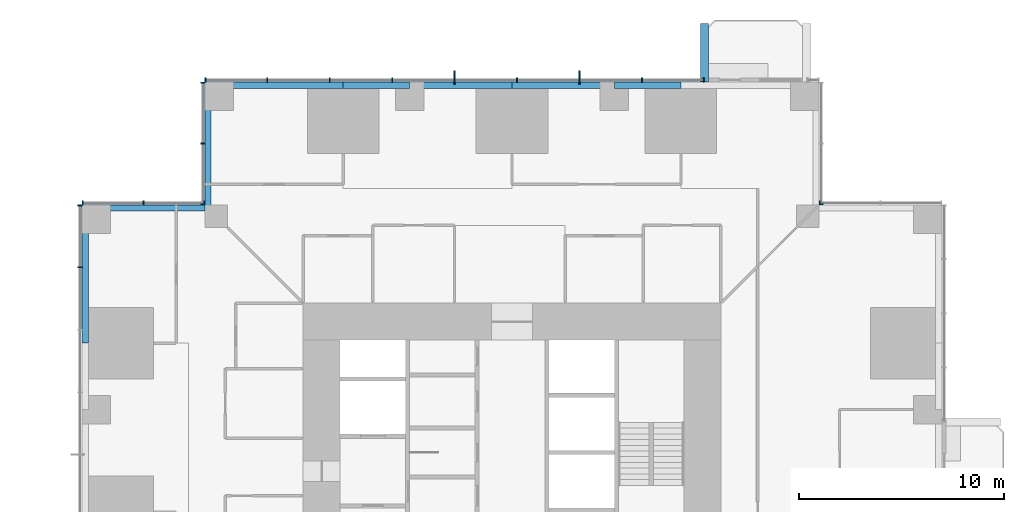
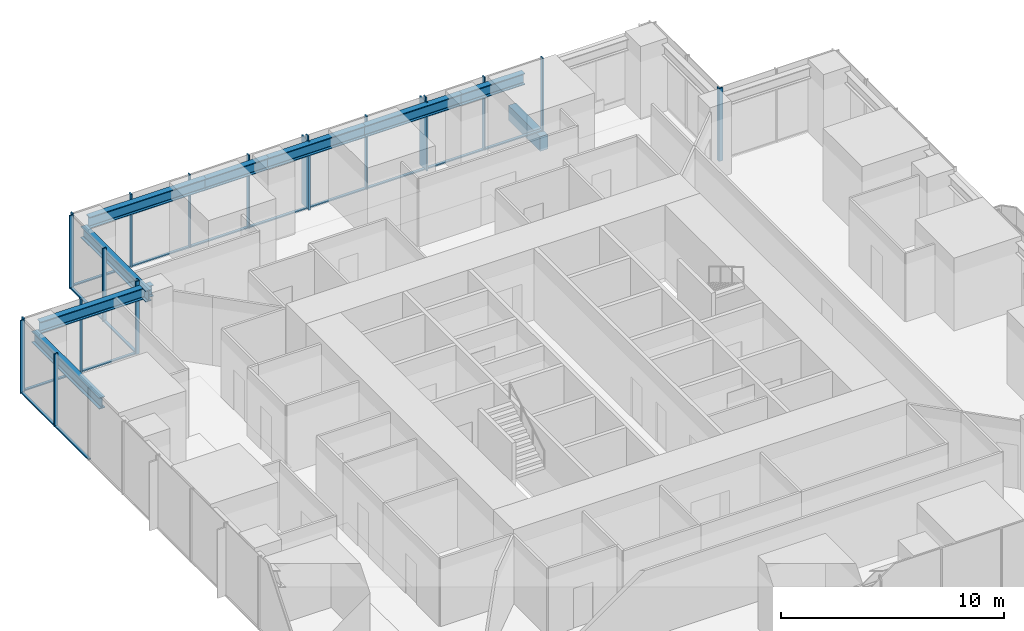
# One storey, part 5 of 17: 35 members, 9 beams, 6 elements without a shape of their own.
"""IFC4 building model written with IfcOpenShell, lengths in metres."""

from ifc_helpers import new_model, si_unit, direction, frame, origin, origin_2d, place, context, subcontext, project, spatial, rectangle, i_section, extrude, material, material_profile, profile_set, type_object, element, aggregate, save


model = new_model("IFC4")

# Units and contexts
model_context = context("Model", 3, precision=1e-05, world=origin(), true_north=direction((0.0, 1.0)))
body_context = subcontext(model_context, "Body", "Model", "MODEL_VIEW")
ifc_project = project(units=[si_unit("LENGTHUNIT", "METRE"), si_unit("AREAUNIT", "SQUARE_METRE"), si_unit("VOLUMEUNIT", "CUBIC_METRE"), si_unit("PLANEANGLEUNIT", "RADIAN"), si_unit("MASSUNIT", "GRAM", prefix="KILO")], contexts=[model_context])

# Site, building, storey
site_placement = place(None, origin())
site = spatial("IfcSite", under=ifc_project, at=site_placement, CompositionType="ELEMENT")
building_placement = place(site_placement, origin())
building = spatial("IfcBuilding", under=site, at=building_placement, Name="Svetlomir Tower", CompositionType="ELEMENT")
storey_placement = place(building_placement, frame((0.0, 0.0, 38.5)))
storey = spatial("IfcBuildingStorey", under=building, at=storey_placement, Name="L08", CompositionType="ELEMENT", Elevation=38.5)

# Beam
ifc_material_1 = material(Name="Concrete C60/75", Category="concrete")
ifc_material_profile_1 = material_profile(ifc_material_1, rectangle(XDim=0.39990234375, YDim=0.800048828125, at=origin_2d()), Name="RC 400x800")
ifc_profile_set_1 = profile_set([ifc_material_profile_1], Name="Concrete C60/75")
beam_type_1 = type_object("IfcBeamType", Name="BALCONY RIB RC 400x800", PredefinedType="BEAM", material=ifc_profile_set_1)
beam_1_placement = place(storey_placement, frame((30.39990234375, 42.0, -0.64990234375), z_axis=(0.0, 1.0, 0.0), x_axis=(-1.0, 0.0, 0.0)))
element("IfcBeam", 1, at=beam_1_placement, inside=storey, type_object=beam_type_1, Name="Balcony rib N 1 L08", PredefinedType="BEAM", context=body_context, shape_type="SweptSolid", body=[
    extrude(rectangle(XDim=0.39990234375, YDim=0.800048828125, at=origin_2d()), origin(), (0.0, 0.0, 1.0), 2.85009765625),
])

# Curtain wall, members
ifc_material_2 = material(Name="Bronze anodised aluminium curtain wall", Category="aluminium")
curtain_wall_type = type_object("IfcCurtainWallType", Name="CURTAIN WALL CW1 TOWER OFFICE", PredefinedType="NOTDEFINED", material=ifc_material_2)
curtain_wall_1_placement = place(storey_placement, origin())
curtain_wall_1 = element("IfcCurtainWall", 2, at=curtain_wall_1_placement, inside=storey, type_object=curtain_wall_type, Name="Curtain wall CW1 L08", PredefinedType="NOTDEFINED")
ifc_material_3 = material(Name="Bronze anodised aluminium", Category="aluminium")
ifc_material_profile_2 = material_profile(ifc_material_3, rectangle(XDim=0.080078125, YDim=0.64990234375, at=origin_2d()), Name="FIN 80x650")
ifc_profile_set_2 = profile_set([ifc_material_profile_2], Name="Bronze anodised aluminium 6063-T6")
member_type_1 = type_object("IfcMemberType", Name="BRONZE FIN 80x650", PredefinedType="USERDEFINED", material=ifc_profile_set_2)
member_1_placement = place(storey_placement, frame((24.300048828125, 42.22509765625, 0.0), z_axis=(0.0, 0.0, 1.0), x_axis=(1.0, 0.0, 0.0)))
member_1 = element("IfcMember", 3, at=member_1_placement, type_object=member_type_1, Name="Bronze fin L08", ObjectType="FIN", PredefinedType="USERDEFINED", context=body_context, shape_type="SweptSolid", body=[
    extrude(rectangle(XDim=0.080078125, YDim=0.64990234375, at=origin_2d()), origin(), (0.0, 0.0, 1.0), 3.75),
])
member_2_placement = place(storey_placement, frame((18.199951171875, 42.22509765625, 0.0), z_axis=(0.0, 0.0, 1.0), x_axis=(1.0, 0.0, 0.0)))
member_2 = element("IfcMember", 4, at=member_2_placement, type_object=member_type_1, Name="Bronze fin L08", ObjectType="FIN", PredefinedType="USERDEFINED", context=body_context, shape_type="SweptSolid", body=[
    extrude(rectangle(XDim=0.080078125, YDim=0.64990234375, at=origin_2d()), origin(), (0.0, 0.0, 1.0), 3.75),
])

# Curtain wall, member
curtain_wall_2_placement = place(storey_placement, origin())
curtain_wall_2 = element("IfcCurtainWall", 5, at=curtain_wall_2_placement, inside=storey, type_object=curtain_wall_type, Name="Curtain wall CW1 L08", PredefinedType="NOTDEFINED")
ifc_material_4 = material(Name="Bronze anodised aluminium", Category="aluminium")
ifc_material_profile_3 = material_profile(ifc_material_4, rectangle(XDim=0.06494140625, YDim=0.199951171875, at=origin_2d()), Name="AL 65x200")
ifc_profile_set_3 = profile_set([ifc_material_profile_3], Name="Bronze anodised aluminium 6063-T6")
member_type_2 = type_object("IfcMemberType", Name="CW1 MULLION 65x200", PredefinedType="MULLION", material=ifc_profile_set_3)
member_3_placement = place(storey_placement, frame((36.032470703125, 36.10009765625, 0.0), z_axis=(0.0, 0.0, 1.0), x_axis=(-1.0, 0.0, 0.0)))
member_3 = element("IfcMember", 6, at=member_3_placement, type_object=member_type_2, Name="CW1 mullion 3", PredefinedType="MULLION", context=body_context, shape_type="SweptSolid", body=[
    extrude(rectangle(XDim=0.06494140625, YDim=0.199951171875, at=origin_2d()), origin(), (0.0, 0.0, 1.0), 4.0),
])
aggregate(curtain_wall_2, [member_3])

curtain_wall_3_placement = place(storey_placement, origin())
curtain_wall_3 = element("IfcCurtainWall", 7, at=curtain_wall_3_placement, inside=storey, type_object=curtain_wall_type, Name="Curtain wall CW1 L08", PredefinedType="NOTDEFINED")
member_4_placement = place(storey_placement, frame((36.10009765625, 36.032470703125, 0.0), z_axis=(0.0, 0.0, 1.0), x_axis=(0.0, 1.0, 0.0)))
member_4 = element("IfcMember", 8, at=member_4_placement, type_object=member_type_2, Name="CW1 mullion 1", PredefinedType="MULLION", context=body_context, shape_type="SweptSolid", body=[
    extrude(rectangle(XDim=0.06494140625, YDim=0.199951171875, at=origin_2d()), origin(), (0.0, 0.0, 1.0), 4.0),
])
aggregate(curtain_wall_3, [member_4])

# Member
member_5_placement = place(storey_placement, frame((30.367431640625, 42.10009765625, 0.0), z_axis=(0.0, 0.0, 1.0), x_axis=(-1.0, 0.0, 0.0)))
member_5 = element("IfcMember", 9, at=member_5_placement, type_object=member_type_2, Name="CW1 mullion 1", PredefinedType="MULLION", context=body_context, shape_type="SweptSolid", body=[
    extrude(rectangle(XDim=0.06494140625, YDim=0.199951171875, at=origin_2d()), origin(), (0.0, 0.0, 1.0), 4.0),
])

member_6_placement = place(storey_placement, frame((27.35009765625, 42.10009765625, 0.0), z_axis=(0.0, 0.0, 1.0), x_axis=(-1.0, 0.0, 0.0)))
member_6 = element("IfcMember", 10, at=member_6_placement, type_object=member_type_2, Name="CW1 mullion 2", PredefinedType="MULLION", context=body_context, shape_type="SweptSolid", body=[
    extrude(rectangle(XDim=0.06494140625, YDim=0.199951171875, at=origin_2d()), origin(), (0.0, 0.0, 1.0), 4.0),
])

member_7_placement = place(storey_placement, frame((24.300048828125, 42.10009765625, 0.0), z_axis=(0.0, 0.0, 1.0), x_axis=(-1.0, 0.0, 0.0)))
member_7 = element("IfcMember", 11, at=member_7_placement, type_object=member_type_2, Name="CW1 mullion 3", PredefinedType="MULLION", context=body_context, shape_type="SweptSolid", body=[
    extrude(rectangle(XDim=0.06494140625, YDim=0.199951171875, at=origin_2d()), origin(), (0.0, 0.0, 1.0), 4.0),
])

member_8_placement = place(storey_placement, frame((21.25, 42.10009765625, 0.0), z_axis=(0.0, 0.0, 1.0), x_axis=(-1.0, 0.0, 0.0)))
member_8 = element("IfcMember", 12, at=member_8_placement, type_object=member_type_2, Name="CW1 mullion 4", PredefinedType="MULLION", context=body_context, shape_type="SweptSolid", body=[
    extrude(rectangle(XDim=0.06494140625, YDim=0.199951171875, at=origin_2d()), origin(), (0.0, 0.0, 1.0), 4.0),
])

member_9_placement = place(storey_placement, frame((18.199951171875, 42.10009765625, 0.0), z_axis=(0.0, 0.0, 1.0), x_axis=(-1.0, 0.0, 0.0)))
member_9 = element("IfcMember", 13, at=member_9_placement, type_object=member_type_2, Name="CW1 mullion 5", PredefinedType="MULLION", context=body_context, shape_type="SweptSolid", body=[
    extrude(rectangle(XDim=0.06494140625, YDim=0.199951171875, at=origin_2d()), origin(), (0.0, 0.0, 1.0), 4.0),
])

member_10_placement = place(storey_placement, frame((15.14990234375, 42.10009765625, 0.0), z_axis=(0.0, 0.0, 1.0), x_axis=(-1.0, 0.0, 0.0)))
member_10 = element("IfcMember", 14, at=member_10_placement, type_object=member_type_2, Name="CW1 mullion 6", PredefinedType="MULLION", context=body_context, shape_type="SweptSolid", body=[
    extrude(rectangle(XDim=0.06494140625, YDim=0.199951171875, at=origin_2d()), origin(), (0.0, 0.0, 1.0), 4.0),
])

member_11_placement = place(storey_placement, frame((12.10009765625, 42.10009765625, 0.0), z_axis=(0.0, 0.0, 1.0), x_axis=(-1.0, 0.0, 0.0)))
member_11 = element("IfcMember", 15, at=member_11_placement, type_object=member_type_2, Name="CW1 mullion 7", PredefinedType="MULLION", context=body_context, shape_type="SweptSolid", body=[
    extrude(rectangle(XDim=0.06494140625, YDim=0.199951171875, at=origin_2d()), origin(), (0.0, 0.0, 1.0), 4.0),
])

member_12_placement = place(storey_placement, frame((9.050048828125, 42.10009765625, 0.0), z_axis=(0.0, 0.0, 1.0), x_axis=(-1.0, 0.0, 0.0)))
member_12 = element("IfcMember", 16, at=member_12_placement, type_object=member_type_2, Name="CW1 mullion 8", PredefinedType="MULLION", context=body_context, shape_type="SweptSolid", body=[
    extrude(rectangle(XDim=0.06494140625, YDim=0.199951171875, at=origin_2d()), origin(), (0.0, 0.0, 1.0), 4.0),
])

member_13_placement = place(storey_placement, frame((6.032470703125, 42.10009765625, 0.0), z_axis=(0.0, 0.0, 1.0), x_axis=(-1.0, 0.0, 0.0)))
member_13 = element("IfcMember", 17, at=member_13_placement, type_object=member_type_2, Name="CW1 mullion 9", PredefinedType="MULLION", context=body_context, shape_type="SweptSolid", body=[
    extrude(rectangle(XDim=0.06494140625, YDim=0.199951171875, at=origin_2d()), origin(), (0.0, 0.0, 1.0), 4.0),
])

# Curtain wall, members
curtain_wall_4_placement = place(storey_placement, origin())
curtain_wall_4 = element("IfcCurtainWall", 18, at=curtain_wall_4_placement, inside=storey, type_object=curtain_wall_type, Name="Curtain wall CW1 L08", PredefinedType="NOTDEFINED")
member_14_placement = place(storey_placement, frame((5.89990234375, 41.967529296875, 0.0), z_axis=(0.0, 0.0, 1.0), x_axis=(0.0, -1.0, 0.0)))
member_14 = element("IfcMember", 19, at=member_14_placement, type_object=member_type_2, Name="CW1 mullion 1", PredefinedType="MULLION", context=body_context, shape_type="SweptSolid", body=[
    extrude(rectangle(XDim=0.06494140625, YDim=0.199951171875, at=origin_2d()), origin(), (0.0, 0.0, 1.0), 4.0),
])
member_15_placement = place(storey_placement, frame((5.89990234375, 39.0, 0.0), z_axis=(0.0, 0.0, 1.0), x_axis=(0.0, -1.0, 0.0)))
member_15 = element("IfcMember", 20, at=member_15_placement, type_object=member_type_2, Name="CW1 mullion 2", PredefinedType="MULLION", context=body_context, shape_type="SweptSolid", body=[
    extrude(rectangle(XDim=0.06494140625, YDim=0.199951171875, at=origin_2d()), origin(), (0.0, 0.0, 1.0), 4.0),
])
member_16_placement = place(storey_placement, frame((5.89990234375, 36.032470703125, 0.0), z_axis=(0.0, 0.0, 1.0), x_axis=(0.0, -1.0, 0.0)))
member_16 = element("IfcMember", 21, at=member_16_placement, type_object=member_type_2, Name="CW1 mullion 3", PredefinedType="MULLION", context=body_context, shape_type="SweptSolid", body=[
    extrude(rectangle(XDim=0.06494140625, YDim=0.199951171875, at=origin_2d()), origin(), (0.0, 0.0, 1.0), 4.0),
])

curtain_wall_5_placement = place(storey_placement, origin())
curtain_wall_5 = element("IfcCurtainWall", 22, at=curtain_wall_5_placement, inside=storey, type_object=curtain_wall_type, Name="Curtain wall CW1 L08", PredefinedType="NOTDEFINED")
member_17_placement = place(storey_placement, frame((5.967529296875, 36.10009765625, 0.0), z_axis=(0.0, 0.0, 1.0), x_axis=(-1.0, 0.0, 0.0)))
member_17 = element("IfcMember", 23, at=member_17_placement, type_object=member_type_2, Name="CW1 mullion 1", PredefinedType="MULLION", context=body_context, shape_type="SweptSolid", body=[
    extrude(rectangle(XDim=0.06494140625, YDim=0.199951171875, at=origin_2d()), origin(), (0.0, 0.0, 1.0), 4.0),
])
member_18_placement = place(storey_placement, frame((3.0, 36.10009765625, 0.0), z_axis=(0.0, 0.0, 1.0), x_axis=(-1.0, 0.0, 0.0)))
member_18 = element("IfcMember", 24, at=member_18_placement, type_object=member_type_2, Name="CW1 mullion 2", PredefinedType="MULLION", context=body_context, shape_type="SweptSolid", body=[
    extrude(rectangle(XDim=0.06494140625, YDim=0.199951171875, at=origin_2d()), origin(), (0.0, 0.0, 1.0), 4.0),
])
member_19_placement = place(storey_placement, frame((0.032470703125, 36.10009765625, 0.0), z_axis=(0.0, 0.0, 1.0), x_axis=(-1.0, 0.0, 0.0)))
member_19 = element("IfcMember", 25, at=member_19_placement, type_object=member_type_2, Name="CW1 mullion 3", PredefinedType="MULLION", context=body_context, shape_type="SweptSolid", body=[
    extrude(rectangle(XDim=0.06494140625, YDim=0.199951171875, at=origin_2d()), origin(), (0.0, 0.0, 1.0), 4.0),
])

curtain_wall_6_placement = place(storey_placement, origin())
curtain_wall_6 = element("IfcCurtainWall", 26, at=curtain_wall_6_placement, inside=storey, type_object=curtain_wall_type, Name="Curtain wall CW1 L08", PredefinedType="NOTDEFINED")
member_20_placement = place(storey_placement, frame((-0.10009765625, 35.967529296875, 0.0), z_axis=(0.0, 0.0, 1.0), x_axis=(0.0, -1.0, 0.0)))
member_20 = element("IfcMember", 27, at=member_20_placement, type_object=member_type_2, Name="CW1 mullion 1", PredefinedType="MULLION", context=body_context, shape_type="SweptSolid", body=[
    extrude(rectangle(XDim=0.06494140625, YDim=0.199951171875, at=origin_2d()), origin(), (0.0, 0.0, 1.0), 4.0),
])
member_21_placement = place(storey_placement, frame((-0.10009765625, 32.949951171875, 0.0), z_axis=(0.0, 0.0, 1.0), x_axis=(0.0, -1.0, 0.0)))
member_21 = element("IfcMember", 28, at=member_21_placement, type_object=member_type_2, Name="CW1 mullion 2", PredefinedType="MULLION", context=body_context, shape_type="SweptSolid", body=[
    extrude(rectangle(XDim=0.06494140625, YDim=0.199951171875, at=origin_2d()), origin(), (0.0, 0.0, 1.0), 4.0),
])

# Member
ifc_material_5 = material(Name="Bronze anodised aluminium", Category="aluminium")
ifc_material_profile_4 = material_profile(ifc_material_5, rectangle(XDim=0.139892578125, YDim=0.06494140625, at=origin_2d()), Name="AL 140x65")
ifc_profile_set_4 = profile_set([ifc_material_profile_4], Name="Bronze anodised aluminium 6063-T6")
member_type_3 = type_object("IfcMemberType", Name="CW1 TRANSOM 65x140", PredefinedType="USERDEFINED", material=ifc_profile_set_4)
member_22_placement = place(storey_placement, frame((30.3349609375, 42.10009765625, 0.032470703125), z_axis=(-1.0, 0.0, 0.0), x_axis=(0.0, -1.0, 0.0)))
member_22 = element("IfcMember", 29, at=member_22_placement, type_object=member_type_3, Name="CW1 transom 1.1", ObjectType="TRANSOM", PredefinedType="USERDEFINED", context=body_context, shape_type="SweptSolid", body=[
    extrude(rectangle(XDim=0.139892578125, YDim=0.06494140625, at=origin_2d()), origin(), (0.0, 0.0, 1.0), 2.952392578125),
])

member_23_placement = place(storey_placement, frame((27.3173828125, 42.10009765625, 0.032470703125), z_axis=(-1.0, 0.0, 0.0), x_axis=(0.0, -1.0, 0.0)))
member_23 = element("IfcMember", 30, at=member_23_placement, type_object=member_type_3, Name="CW1 transom 2.1", ObjectType="TRANSOM", PredefinedType="USERDEFINED", context=body_context, shape_type="SweptSolid", body=[
    extrude(rectangle(XDim=0.139892578125, YDim=0.06494140625, at=origin_2d()), origin(), (0.0, 0.0, 1.0), 2.98486328125),
])

member_24_placement = place(storey_placement, frame((24.267578125, 42.10009765625, 0.032470703125), z_axis=(-1.0, 0.0, 0.0), x_axis=(0.0, -1.0, 0.0)))
member_24 = element("IfcMember", 31, at=member_24_placement, type_object=member_type_3, Name="CW1 transom 3.1", ObjectType="TRANSOM", PredefinedType="USERDEFINED", context=body_context, shape_type="SweptSolid", body=[
    extrude(rectangle(XDim=0.139892578125, YDim=0.06494140625, at=origin_2d()), origin(), (0.0, 0.0, 1.0), 2.985107421875),
])

member_25_placement = place(storey_placement, frame((21.217529296875, 42.10009765625, 0.032470703125), z_axis=(-1.0, 0.0, 0.0), x_axis=(0.0, -1.0, 0.0)))
member_25 = element("IfcMember", 32, at=member_25_placement, type_object=member_type_3, Name="CW1 transom 4.1", ObjectType="TRANSOM", PredefinedType="USERDEFINED", context=body_context, shape_type="SweptSolid", body=[
    extrude(rectangle(XDim=0.139892578125, YDim=0.06494140625, at=origin_2d()), origin(), (0.0, 0.0, 1.0), 2.985107421875),
])

member_26_placement = place(storey_placement, frame((18.16748046875, 42.10009765625, 0.032470703125), z_axis=(-1.0, 0.0, 0.0), x_axis=(0.0, -1.0, 0.0)))
member_26 = element("IfcMember", 33, at=member_26_placement, type_object=member_type_3, Name="CW1 transom 5.1", ObjectType="TRANSOM", PredefinedType="USERDEFINED", context=body_context, shape_type="SweptSolid", body=[
    extrude(rectangle(XDim=0.139892578125, YDim=0.06494140625, at=origin_2d()), origin(), (0.0, 0.0, 1.0), 2.98486328125),
])

member_27_placement = place(storey_placement, frame((15.117431640625, 42.10009765625, 0.032470703125), z_axis=(-1.0, 0.0, 0.0), x_axis=(0.0, -1.0, 0.0)))
member_27 = element("IfcMember", 34, at=member_27_placement, type_object=member_type_3, Name="CW1 transom 6.1", ObjectType="TRANSOM", PredefinedType="USERDEFINED", context=body_context, shape_type="SweptSolid", body=[
    extrude(rectangle(XDim=0.139892578125, YDim=0.06494140625, at=origin_2d()), origin(), (0.0, 0.0, 1.0), 2.98486328125),
])

member_28_placement = place(storey_placement, frame((12.0673828125, 42.10009765625, 0.032470703125), z_axis=(-1.0, 0.0, 0.0), x_axis=(0.0, -1.0, 0.0)))
member_28 = element("IfcMember", 35, at=member_28_placement, type_object=member_type_3, Name="CW1 transom 7.1", ObjectType="TRANSOM", PredefinedType="USERDEFINED", context=body_context, shape_type="SweptSolid", body=[
    extrude(rectangle(XDim=0.139892578125, YDim=0.06494140625, at=origin_2d()), origin(), (0.0, 0.0, 1.0), 2.98486328125),
])

member_29_placement = place(storey_placement, frame((9.017578125, 42.10009765625, 0.032470703125), z_axis=(-1.0, 0.0, 0.0), x_axis=(0.0, -1.0, 0.0)))
member_29 = element("IfcMember", 36, at=member_29_placement, type_object=member_type_3, Name="CW1 transom 8.1", ObjectType="TRANSOM", PredefinedType="USERDEFINED", context=body_context, shape_type="SweptSolid", body=[
    extrude(rectangle(XDim=0.139892578125, YDim=0.06494140625, at=origin_2d()), origin(), (0.0, 0.0, 1.0), 2.95263671875),
])

aggregate(curtain_wall_1, [member_5, member_6, member_7, member_8, member_9, member_10, member_11, member_12, member_13, member_22, member_23, member_24, member_25, member_26, member_27, member_28, member_29, member_1, member_2])

member_30_placement = place(storey_placement, frame((5.89990234375, 41.93505859375, 0.032470703125), z_axis=(0.0, -1.0, 0.0), x_axis=(1.0, 0.0, 0.0)))
member_30 = element("IfcMember", 37, at=member_30_placement, type_object=member_type_3, Name="CW1 transom 1.1", ObjectType="TRANSOM", PredefinedType="USERDEFINED", context=body_context, shape_type="SweptSolid", body=[
    extrude(rectangle(XDim=0.139892578125, YDim=0.06494140625, at=origin_2d()), origin(), (0.0, 0.0, 1.0), 2.902587890625),
])

member_31_placement = place(storey_placement, frame((5.89990234375, 38.967529296875, 0.032470703125), z_axis=(0.0, -1.0, 0.0), x_axis=(1.0, 0.0, 0.0)))
member_31 = element("IfcMember", 38, at=member_31_placement, type_object=member_type_3, Name="CW1 transom 2.1", ObjectType="TRANSOM", PredefinedType="USERDEFINED", context=body_context, shape_type="SweptSolid", body=[
    extrude(rectangle(XDim=0.139892578125, YDim=0.06494140625, at=origin_2d()), origin(), (0.0, 0.0, 1.0), 2.902587890625),
])

aggregate(curtain_wall_4, [member_14, member_15, member_16, member_30, member_31])

member_32_placement = place(storey_placement, frame((5.93505859375, 36.10009765625, 0.032470703125), z_axis=(-1.0, 0.0, 0.0), x_axis=(0.0, -1.0, 0.0)))
member_32 = element("IfcMember", 39, at=member_32_placement, type_object=member_type_3, Name="CW1 transom 1.1", ObjectType="TRANSOM", PredefinedType="USERDEFINED", context=body_context, shape_type="SweptSolid", body=[
    extrude(rectangle(XDim=0.139892578125, YDim=0.06494140625, at=origin_2d()), origin(), (0.0, 0.0, 1.0), 2.902587890625),
])

member_33_placement = place(storey_placement, frame((2.967529296875, 36.10009765625, 0.032470703125), z_axis=(-1.0, 0.0, 0.0), x_axis=(0.0, -1.0, 0.0)))
member_33 = element("IfcMember", 40, at=member_33_placement, type_object=member_type_3, Name="CW1 transom 2.1", ObjectType="TRANSOM", PredefinedType="USERDEFINED", context=body_context, shape_type="SweptSolid", body=[
    extrude(rectangle(XDim=0.139892578125, YDim=0.06494140625, at=origin_2d()), origin(), (0.0, 0.0, 1.0), 2.902587890625),
])

aggregate(curtain_wall_5, [member_17, member_18, member_19, member_32, member_33])

member_34_placement = place(storey_placement, frame((-0.10009765625, 35.93505859375, 0.032470703125), z_axis=(0.0, -1.0, 0.0), x_axis=(1.0, 0.0, 0.0)))
member_34 = element("IfcMember", 41, at=member_34_placement, type_object=member_type_3, Name="CW1 transom 1.1", ObjectType="TRANSOM", PredefinedType="USERDEFINED", context=body_context, shape_type="SweptSolid", body=[
    extrude(rectangle(XDim=0.139892578125, YDim=0.06494140625, at=origin_2d()), origin(), (0.0, 0.0, 1.0), 2.95263671875),
])

member_35_placement = place(storey_placement, frame((-0.10009765625, 32.91748046875, 0.032470703125), z_axis=(0.0, -1.0, 0.0), x_axis=(1.0, 0.0, 0.0)))
member_35 = element("IfcMember", 42, at=member_35_placement, type_object=member_type_3, Name="CW1 transom 2.1", ObjectType="TRANSOM", PredefinedType="USERDEFINED", context=body_context, shape_type="SweptSolid", body=[
    extrude(rectangle(XDim=0.139892578125, YDim=0.06494140625, at=origin_2d()), origin(), (0.0, 0.0, 1.0), 2.98486328125),
])

aggregate(curtain_wall_6, [member_20, member_21, member_34, member_35])

# Beams
ifc_material_6 = material(Name="Steel S355", Category="steel")
ifc_material_profile_5 = material_profile(ifc_material_6, i_section(OverallWidth=0.304931640625, OverallDepth=0.6201171875, WebThickness=0.02099609375, FlangeThickness=0.0400390625, FilletRadius=0.027099609375, at=origin_2d()), Name="HEM 600")
ifc_profile_set_5 = profile_set([ifc_material_profile_5], Name="Steel S355")
beam_type_2 = type_object("IfcBeamType", Name="EDGE BEAM HEM 600", PredefinedType="SPANDREL", material=ifc_profile_set_5)
beam_2_placement = place(storey_placement, frame((6.699951171875, 41.847412109375, 3.43994140625), z_axis=(1.0, 0.0, 0.0), x_axis=(0.0, 1.0, 0.0)))
element("IfcBeam", 43, at=beam_2_placement, inside=storey, type_object=beam_type_2, Name="Edge beam 6/42 to 11/42 under L09", PredefinedType="SPANDREL", context=body_context, shape_type="SweptSolid", body=[
    extrude(i_section(OverallWidth=0.304931640625, OverallDepth=0.6201171875, WebThickness=0.02099609375, FlangeThickness=0.0400390625, FilletRadius=0.027099609375, at=origin_2d()), origin(), (0.0, 0.0, 1.0), 6.050048828125),
])
beam_3_placement = place(storey_placement, frame((12.75, 41.847412109375, 3.43994140625), z_axis=(1.0, 0.0, 0.0), x_axis=(0.0, 1.0, 0.0)))
element("IfcBeam", 44, at=beam_3_placement, inside=storey, type_object=beam_type_2, Name="Edge beam 11/42 to 16/42 under L09", PredefinedType="SPANDREL", context=body_context, shape_type="SweptSolid", body=[
    extrude(i_section(OverallWidth=0.304931640625, OverallDepth=0.6201171875, WebThickness=0.02099609375, FlangeThickness=0.0400390625, FilletRadius=0.027099609375, at=origin_2d()), origin(), (0.0, 0.0, 1.0), 3.25),
])
for number, where, z_axis, x_axis, name in (
    (45, (16.0, 41.847412109375, 3.43994140625), (1.0, 0.0, 0.0), (0.0, 1.0, 0.0), "Edge beam 16/42 to 21/42 under L09"),
    (46, (21.0, 41.847412109375, 3.43994140625), (1.0, 0.0, 0.0), (0.0, 1.0, 0.0), "Edge beam 21/42 to 26/42 under L09"),
):
    element("IfcBeam", number, at=place(storey_placement, frame(where, z_axis=z_axis, x_axis=x_axis)), inside=storey, type_object=beam_type_2, Name=name, PredefinedType="SPANDREL", context=body_context, shape_type="SweptSolid", body=[
        extrude(i_section(OverallWidth=0.304931640625, OverallDepth=0.6201171875, WebThickness=0.02099609375, FlangeThickness=0.0400390625, FilletRadius=0.027099609375, at=origin_2d()), origin(), (0.0, 0.0, 1.0), 5.0),
    ])
beam_4_placement = place(storey_placement, frame((26.0, 41.847412109375, 3.43994140625), z_axis=(1.0, 0.0, 0.0), x_axis=(0.0, 1.0, 0.0)))
element("IfcBeam", 47, at=beam_4_placement, inside=storey, type_object=beam_type_2, Name="Edge beam 26/42 to 31/42 under L09", PredefinedType="SPANDREL", context=body_context, shape_type="SweptSolid", body=[
    extrude(i_section(OverallWidth=0.304931640625, OverallDepth=0.6201171875, WebThickness=0.02099609375, FlangeThickness=0.0400390625, FilletRadius=0.027099609375, at=origin_2d()), origin(), (0.0, 0.0, 1.0), 3.25),
])
beam_5_placement = place(storey_placement, frame((0.152587890625, 29.25, 3.43994140625), z_axis=(0.0, 1.0, 0.0), x_axis=(-1.0, 0.0, 0.0)))
element("IfcBeam", 48, at=beam_5_placement, inside=storey, type_object=beam_type_2, Name="Edge beam 0/31 to 0/36 under L09", PredefinedType="SPANDREL", context=body_context, shape_type="SweptSolid", body=[
    extrude(i_section(OverallWidth=0.304931640625, OverallDepth=0.6201171875, WebThickness=0.02099609375, FlangeThickness=0.0400390625, FilletRadius=0.027099609375, at=origin_2d()), origin(), (0.0, 0.0, 1.0), 6.050048828125),
])
for number, where, z_axis, x_axis, name in (
    (49, (6.152587890625, 41.300048828125, 3.43994140625), (0.0, -1.0, 0.0), (1.0, 0.0, 0.0), "Edge beam 6/42 to 6/36 under L09"),
    (50, (0.699951171875, 35.847412109375, 3.43994140625), (1.0, 0.0, 0.0), (0.0, 1.0, 0.0), "Edge beam 0/36 to 6/36 under L09"),
):
    element("IfcBeam", number, at=place(storey_placement, frame(where, z_axis=z_axis, x_axis=x_axis)), inside=storey, type_object=beam_type_2, Name=name, PredefinedType="SPANDREL", context=body_context, shape_type="SweptSolid", body=[
        extrude(i_section(OverallWidth=0.304931640625, OverallDepth=0.6201171875, WebThickness=0.02099609375, FlangeThickness=0.0400390625, FilletRadius=0.027099609375, at=origin_2d()), origin(), (0.0, 0.0, 1.0), 5.85009765625),
    ])

save(model, "model.ifc")
